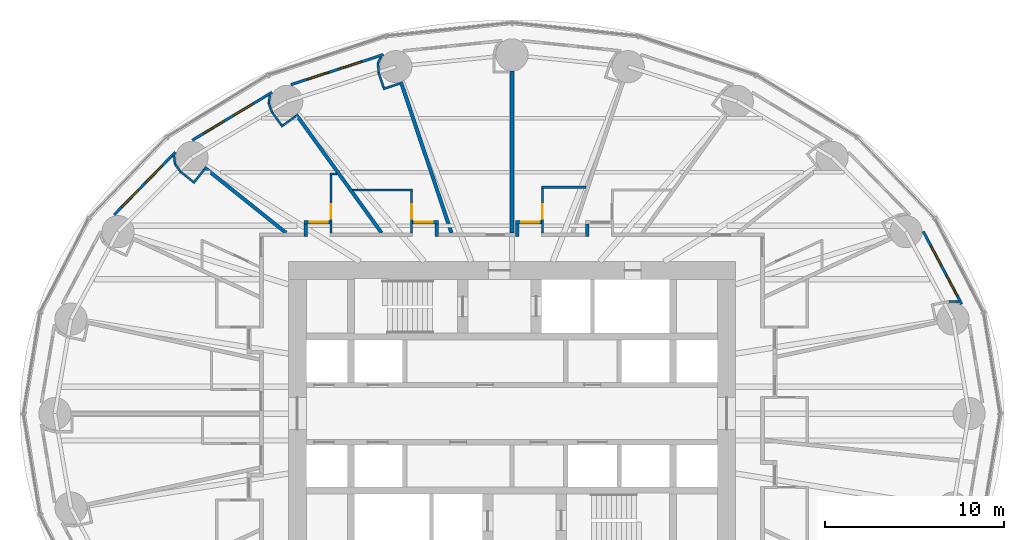
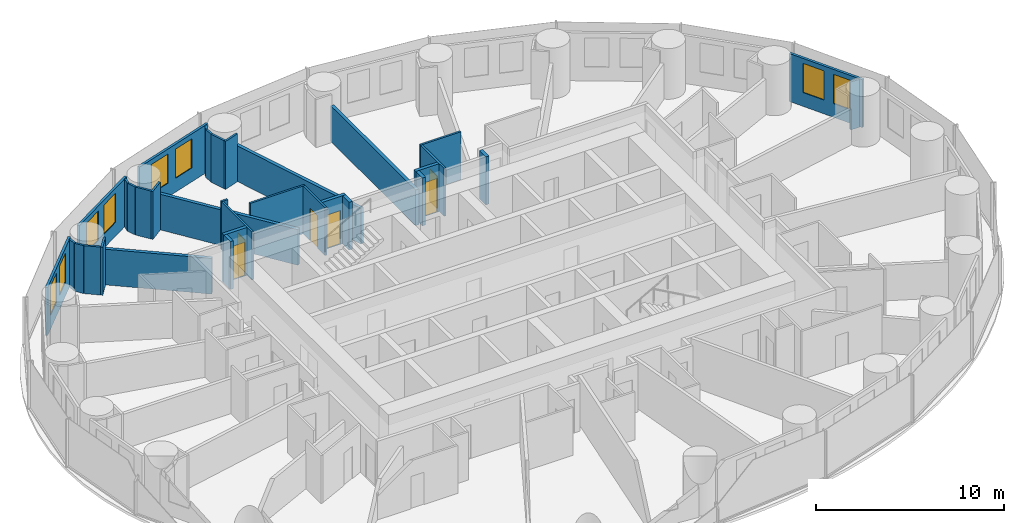
# One storey, part 11 of 14: 34 walls, 8 windows, 6 doors, 14 openings.
"""IFC4 building model written with IfcOpenShell, lengths in metres."""

from ifc_helpers import new_model, si_unit, direction, frame, frame_2d, origin, place, context, subcontext, project, spatial, rectangle, extrude, material, layer, layer_set, type_object, element, fill, save


model = new_model("IFC4")

# Units and contexts
model_context = context("Model", 3, precision=1e-05, world=origin(), true_north=direction((0.0, 1.0)))
body_context = subcontext(model_context, "Body", "Model", "MODEL_VIEW")
ifc_project = project(units=[si_unit("LENGTHUNIT", "METRE"), si_unit("AREAUNIT", "SQUARE_METRE"), si_unit("VOLUMEUNIT", "CUBIC_METRE"), si_unit("PLANEANGLEUNIT", "RADIAN"), si_unit("MASSUNIT", "GRAM", prefix="KILO")], contexts=[model_context])

# Site, building, storey
site_placement = place(None, origin())
site = spatial("IfcSite", under=ifc_project, at=site_placement, CompositionType="ELEMENT")
building_placement = place(site_placement, origin())
building = spatial("IfcBuilding", under=site, at=building_placement, Name="Hankou Lantern Tower", CompositionType="ELEMENT")
storey_placement = place(building_placement, frame((0.0, 0.0, 29.39990234375)))
storey = spatial("IfcBuildingStorey", under=building, at=storey_placement, Name="L05", CompositionType="ELEMENT", Elevation=29.39990234375)

# Wall, openings, windows
ifc_material_1 = material(Name="Aluminium spandrel panel on steel studs", Category="steel")
ifc_layer_1 = layer(ifc_material_1, 0.14990234375)
ifc_layer_set_1 = layer_set([ifc_layer_1], Name="Aluminium spandrel panel on steel studs")
wall_type_1 = type_object("IfcWallType", Name="EW1 INNER SKIN WALL 150", PredefinedType="ELEMENTEDWALL", material=ifc_layer_set_1)
wall_1_placement = place(storey_placement, frame((25.138671875, 6.11279296875, 0.0), z_axis=(0.0, 0.0, 1.0), x_axis=(-0.467303182954, 0.884097129959, 0.0)))
wall_1 = element("IfcWall", 1, at=wall_1_placement, inside=storey, type_object=wall_type_1, Name="Inner skin R02-R03 L05", PredefinedType="ELEMENTEDWALL", context=body_context, shape_type="SweptSolid", body=[
    extrude(rectangle(XDim=4.6064453125, YDim=0.14990234375, at=frame_2d((2.30322265625, 0.0))), origin(), (0.0, 0.0, 1.0), 3.1201171875),
])
opening_1_placement = place(wall_1_placement, frame((0.531494140625, 0.0, 0.89990234375)))
opening_1 = element("IfcOpeningElement", 2, at=opening_1_placement, cuts=wall_1, Name="Opening W9", PredefinedType="OPENING", context=body_context, shape_type="SweptSolid", body=[
    extrude(rectangle(XDim=1.300048828125, YDim=1.89990234375, at=frame_2d((0.64990234375, 0.949951171875))), frame((0.0, 0.0849609375, 0.0), z_axis=(0.0, -1.0, 0.0), x_axis=(1.0, 0.0, 0.0)), (0.0, 0.0, 1.0), 0.169921875),
])
opening_2_placement = place(wall_1_placement, frame((2.431640625, 0.0, 0.89990234375)))
opening_2 = element("IfcOpeningElement", 3, at=opening_2_placement, cuts=wall_1, Name="Opening W9", PredefinedType="OPENING", context=body_context, shape_type="SweptSolid", body=[
    extrude(rectangle(XDim=1.300048828125, YDim=1.89990234375, at=frame_2d((0.64990234375, 0.949951171875))), frame((0.0, 0.0849609375, 0.0), z_axis=(0.0, -1.0, 0.0), x_axis=(1.0, 0.0, 0.0)), (0.0, 0.0, 1.0), 0.169921875),
])
ifc_material_2 = material(Name="Aluminium framed double glazed window", Category="aluminium")
window_type = type_object("IfcWindowType", Name="W9 GUEST ROOM WINDOW 1300X1900", PartitioningType="DOUBLE_PANEL_VERTICAL", PredefinedType="WINDOW", material=ifc_material_2)
window_1_placement = place(opening_1_placement, origin())
window_1 = element("IfcWindow", 4, at=window_1_placement, inside=storey, type_object=window_type, Name="Window R02.1 L05", OverallHeight=1.89990234375, OverallWidth=1.300048828125, PartitioningType="SINGLE_PANEL", PredefinedType="WINDOW", context=body_context, shape_type="SweptSolid", body=[
    extrude(rectangle(XDim=1.300048828125, YDim=1.89990234375, at=frame_2d((0.64990234375, 0.949951171875))), frame((0.0, 0.030029296875, 0.0), z_axis=(0.0, -1.0, 0.0), x_axis=(1.0, 0.0, 0.0)), (0.0, 0.0, 1.0), 0.06005859375),
])
fill(opening_1, window_1)
window_2_placement = place(opening_2_placement, origin())
window_2 = element("IfcWindow", 5, at=window_2_placement, inside=storey, type_object=window_type, Name="Window R02.2 L05", OverallHeight=1.89990234375, OverallWidth=1.300048828125, PartitioningType="SINGLE_PANEL", PredefinedType="WINDOW", context=body_context, shape_type="SweptSolid", body=[
    extrude(rectangle(XDim=1.300048828125, YDim=1.89990234375, at=frame_2d((0.64990234375, 0.949951171875))), frame((0.0, 0.030029296875, 0.0), z_axis=(0.0, -1.0, 0.0), x_axis=(1.0, 0.0, 0.0)), (0.0, 0.0, 1.0), 0.06005859375),
])
fill(opening_2, window_2)

wall_2_placement = place(storey_placement, frame((-7.188232421875, 20.06494140625, 0.0), z_axis=(0.0, 0.0, 1.0), x_axis=(-0.951138486029, -0.308764603532, 0.0)))
wall_2 = element("IfcWall", 6, at=wall_2_placement, inside=storey, type_object=wall_type_1, Name="Inner skin R08-R09 L05", PredefinedType="ELEMENTEDWALL", context=body_context, shape_type="SweptSolid", body=[
    extrude(rectangle(XDim=5.444091796875, YDim=0.14990234375, at=frame_2d((2.72216796875, 0.0))), origin(), (0.0, 0.0, 1.0), 3.1201171875),
])
opening_3_placement = place(wall_2_placement, frame((1.2841796875, 0.0, 0.89990234375)))
opening_3 = element("IfcOpeningElement", 7, at=opening_3_placement, cuts=wall_2, Name="Opening W9", PredefinedType="OPENING", context=body_context, shape_type="SweptSolid", body=[
    extrude(rectangle(XDim=1.300048828125, YDim=1.89990234375, at=frame_2d((0.64990234375, 0.949951171875))), frame((0.0, 0.0849609375, 0.0), z_axis=(0.0, -1.0, 0.0), x_axis=(1.0, 0.0, 0.0)), (0.0, 0.0, 1.0), 0.169921875),
])
opening_4_placement = place(wall_2_placement, frame((3.18408203125, 0.0, 0.89990234375)))
opening_4 = element("IfcOpeningElement", 8, at=opening_4_placement, cuts=wall_2, Name="Opening W9", PredefinedType="OPENING", context=body_context, shape_type="SweptSolid", body=[
    extrude(rectangle(XDim=1.300048828125, YDim=1.89990234375, at=frame_2d((0.64990234375, 0.949951171875))), frame((0.0, 0.0849609375, 0.0), z_axis=(0.0, -1.0, 0.0), x_axis=(1.0, 0.0, 0.0)), (0.0, 0.0, 1.0), 0.169921875),
])
window_3_placement = place(opening_3_placement, origin())
window_3 = element("IfcWindow", 9, at=window_3_placement, inside=storey, type_object=window_type, Name="Window R08.1 L05", OverallHeight=1.89990234375, OverallWidth=1.300048828125, PartitioningType="SINGLE_PANEL", PredefinedType="WINDOW", context=body_context, shape_type="SweptSolid", body=[
    extrude(rectangle(XDim=1.300048828125, YDim=1.89990234375, at=frame_2d((0.64990234375, 0.949951171875))), frame((0.0, 0.030029296875, 0.0), z_axis=(0.0, -1.0, 0.0), x_axis=(1.0, 0.0, 0.0)), (0.0, 0.0, 1.0), 0.06005859375),
])
fill(opening_3, window_3)
window_4_placement = place(opening_4_placement, origin())
window_4 = element("IfcWindow", 10, at=window_4_placement, inside=storey, type_object=window_type, Name="Window R08.2 L05", OverallHeight=1.89990234375, OverallWidth=1.300048828125, PartitioningType="SINGLE_PANEL", PredefinedType="WINDOW", context=body_context, shape_type="SweptSolid", body=[
    extrude(rectangle(XDim=1.300048828125, YDim=1.89990234375, at=frame_2d((0.64990234375, 0.949951171875))), frame((0.0, 0.030029296875, 0.0), z_axis=(0.0, -1.0, 0.0), x_axis=(1.0, 0.0, 0.0)), (0.0, 0.0, 1.0), 0.06005859375),
])
fill(opening_4, window_4)

wall_3_placement = place(storey_placement, frame((-13.412109375, 17.957275390625, 0.0), z_axis=(0.0, 0.0, 1.0), x_axis=(-0.856958191554, -0.515385931054, 0.0)))
wall_3 = element("IfcWall", 11, at=wall_3_placement, inside=storey, type_object=wall_type_1, Name="Inner skin R09-R10 L05", PredefinedType="ELEMENTEDWALL", context=body_context, shape_type="SweptSolid", body=[
    extrude(rectangle(XDim=5.201171875, YDim=0.14990234375, at=frame_2d((2.6005859375, 0.0))), origin(), (0.0, 0.0, 1.0), 3.1201171875),
])
opening_5_placement = place(wall_3_placement, frame((1.22509765625, 0.0, 0.89990234375)))
opening_5 = element("IfcOpeningElement", 12, at=opening_5_placement, cuts=wall_3, Name="Opening W9", PredefinedType="OPENING", context=body_context, shape_type="SweptSolid", body=[
    extrude(rectangle(XDim=1.300048828125, YDim=1.89990234375, at=frame_2d((0.64990234375, 0.949951171875))), frame((0.0, 0.0849609375, 0.0), z_axis=(0.0, -1.0, 0.0), x_axis=(1.0, 0.0, 0.0)), (0.0, 0.0, 1.0), 0.169921875),
])
opening_6_placement = place(wall_3_placement, frame((3.125, 0.0, 0.89990234375)))
opening_6 = element("IfcOpeningElement", 13, at=opening_6_placement, cuts=wall_3, Name="Opening W9", PredefinedType="OPENING", context=body_context, shape_type="SweptSolid", body=[
    extrude(rectangle(XDim=1.300048828125, YDim=1.89990234375, at=frame_2d((0.64990234375, 0.949951171875))), frame((0.0, 0.0849609375, 0.0), z_axis=(0.0, -1.0, 0.0), x_axis=(1.0, 0.0, 0.0)), (0.0, 0.0, 1.0), 0.169921875),
])
window_5_placement = place(opening_5_placement, origin())
window_5 = element("IfcWindow", 14, at=window_5_placement, inside=storey, type_object=window_type, Name="Window R09.1 L05", OverallHeight=1.89990234375, OverallWidth=1.300048828125, PartitioningType="SINGLE_PANEL", PredefinedType="WINDOW", context=body_context, shape_type="SweptSolid", body=[
    extrude(rectangle(XDim=1.300048828125, YDim=1.89990234375, at=frame_2d((0.64990234375, 0.949951171875))), frame((0.0, 0.030029296875, 0.0), z_axis=(0.0, -1.0, 0.0), x_axis=(1.0, 0.0, 0.0)), (0.0, 0.0, 1.0), 0.06005859375),
])
fill(opening_5, window_5)
window_6_placement = place(opening_6_placement, origin())
window_6 = element("IfcWindow", 15, at=window_6_placement, inside=storey, type_object=window_type, Name="Window R09.2 L05", OverallHeight=1.89990234375, OverallWidth=1.300048828125, PartitioningType="SINGLE_PANEL", PredefinedType="WINDOW", context=body_context, shape_type="SweptSolid", body=[
    extrude(rectangle(XDim=1.300048828125, YDim=1.89990234375, at=frame_2d((0.64990234375, 0.949951171875))), frame((0.0, 0.030029296875, 0.0), z_axis=(0.0, -1.0, 0.0), x_axis=(1.0, 0.0, 0.0)), (0.0, 0.0, 1.0), 0.06005859375),
])
fill(opening_6, window_6)

wall_4_placement = place(storey_placement, frame((-18.8134765625, 14.606689453125, 0.0), z_axis=(0.0, 0.0, 1.0), x_axis=(-0.699612594083, -0.714522370679, 0.0)))
wall_4 = element("IfcWall", 16, at=wall_4_placement, inside=storey, type_object=wall_type_1, Name="Inner skin R10-R11 L05", PredefinedType="ELEMENTEDWALL", context=body_context, shape_type="SweptSolid", body=[
    extrude(rectangle(XDim=4.89599609375, YDim=0.14990234375, at=frame_2d((2.447998046875, 0.0))), origin(), (0.0, 0.0, 1.0), 3.1201171875),
])
opening_7_placement = place(wall_4_placement, frame((1.076904296875, 0.0, 0.89990234375)))
opening_7 = element("IfcOpeningElement", 17, at=opening_7_placement, cuts=wall_4, Name="Opening W9", PredefinedType="OPENING", context=body_context, shape_type="SweptSolid", body=[
    extrude(rectangle(XDim=1.300048828125, YDim=1.89990234375, at=frame_2d((0.64990234375, 0.949951171875))), frame((0.0, 0.0849609375, 0.0), z_axis=(0.0, -1.0, 0.0), x_axis=(1.0, 0.0, 0.0)), (0.0, 0.0, 1.0), 0.169921875),
])
opening_8_placement = place(wall_4_placement, frame((2.976806640625, 0.0, 0.89990234375)))
opening_8 = element("IfcOpeningElement", 18, at=opening_8_placement, cuts=wall_4, Name="Opening W9", PredefinedType="OPENING", context=body_context, shape_type="SweptSolid", body=[
    extrude(rectangle(XDim=1.300048828125, YDim=1.89990234375, at=frame_2d((0.64990234375, 0.949951171875))), frame((0.0, 0.0849609375, 0.0), z_axis=(0.0, -1.0, 0.0), x_axis=(1.0, 0.0, 0.0)), (0.0, 0.0, 1.0), 0.169921875),
])
window_7_placement = place(opening_7_placement, origin())
window_7 = element("IfcWindow", 19, at=window_7_placement, inside=storey, type_object=window_type, Name="Window R10.1 L05", OverallHeight=1.89990234375, OverallWidth=1.300048828125, PartitioningType="SINGLE_PANEL", PredefinedType="WINDOW", context=body_context, shape_type="SweptSolid", body=[
    extrude(rectangle(XDim=1.300048828125, YDim=1.89990234375, at=frame_2d((0.64990234375, 0.949951171875))), frame((0.0, 0.030029296875, 0.0), z_axis=(0.0, -1.0, 0.0), x_axis=(1.0, 0.0, 0.0)), (0.0, 0.0, 1.0), 0.06005859375),
])
fill(opening_7, window_7)
window_8_placement = place(opening_8_placement, origin())
window_8 = element("IfcWindow", 20, at=window_8_placement, inside=storey, type_object=window_type, Name="Window R10.2 L05", OverallHeight=1.89990234375, OverallWidth=1.300048828125, PartitioningType="SINGLE_PANEL", PredefinedType="WINDOW", context=body_context, shape_type="SweptSolid", body=[
    extrude(rectangle(XDim=1.300048828125, YDim=1.89990234375, at=frame_2d((0.64990234375, 0.949951171875))), frame((0.0, 0.030029296875, 0.0), z_axis=(0.0, -1.0, 0.0), x_axis=(1.0, 0.0, 0.0)), (0.0, 0.0, 1.0), 0.06005859375),
])
fill(opening_8, window_8)

# Walls
ifc_material_3 = material(Name="Masonry lightweight concrete block", Category="masonry")
ifc_layer_2 = layer(ifc_material_3, 0.199951171875)
ifc_layer_set_2 = layer_set([ifc_layer_2], Name="Masonry lightweight concrete block")
wall_type_2 = type_object("IfcWallType", Name="IW1 GUEST ROOM PARTY WALL 200", PredefinedType="PARTITIONING", material=ifc_layer_set_2)
wall_5_placement = place(storey_placement, frame((-7.2890625, 10.10009765625, 0.0), z_axis=(0.0, 0.0, 1.0), x_axis=(-0.585216319319, 0.810877216108, 0.0)))
element("IfcWall", 21, at=wall_5_placement, inside=storey, type_object=wall_type_2, Name="Party wall R09", PredefinedType="PARTITIONING", context=body_context, shape_type="SweptSolid", body=[
    extrude(rectangle(XDim=8.15966796875, YDim=0.199951171875, at=frame_2d((4.079833984375, 0.0))), origin(), (0.0, 0.0, 1.0), 2.320068359375),
])
wall_6_placement = place(storey_placement, frame((-12.625, 10.10009765625, 0.0), z_axis=(0.0, 0.0, 1.0), x_axis=(-0.780872884676, 0.624689953479, 0.0)))
element("IfcWall", 22, at=wall_6_placement, inside=storey, type_object=wall_type_2, Name="Party wall R10", PredefinedType="PARTITIONING", context=body_context, shape_type="SweptSolid", body=[
    extrude(rectangle(XDim=5.8447265625, YDim=0.199951171875, at=frame_2d((2.92236328125, 0.0))), origin(), (0.0, 0.0, 1.0), 2.320068359375),
])
ifc_material_4 = material(Name="Masonry lightweight concrete block", Category="masonry")
ifc_layer_3 = layer(ifc_material_4, 0.199951171875)
ifc_layer_set_3 = layer_set([ifc_layer_3], Name="Masonry lightweight concrete block")
wall_type_3 = type_object("IfcWallType", Name="IW2 CORRIDOR WALL 200", PredefinedType="PARTITIONING", material=ifc_layer_set_3)
wall_7_placement = place(storey_placement, frame((4.208984375, 9.89990234375, 0.0), z_axis=(0.0, 0.0, 1.0), x_axis=(0.0, 1.0, 0.0)))
element("IfcWall", 23, at=wall_7_placement, inside=storey, type_object=wall_type_3, Name="Corridor recess wall 0507 side", PredefinedType="PARTITIONING", context=body_context, shape_type="SweptSolid", body=[
    extrude(rectangle(XDim=0.7001953125, YDim=0.199951171875, at=frame_2d((0.35009765625, 0.0))), origin(), (0.0, 0.0, 1.0), 3.1201171875),
])

# Wall, opening, door
wall_8_placement = place(storey_placement, frame((0.202880859375, 10.699951171875, 0.0), z_axis=(0.0, 0.0, 1.0), x_axis=(1.0, 0.0, 0.0)))
wall_8 = element("IfcWall", 24, at=wall_8_placement, inside=storey, type_object=wall_type_3, Name="Corridor recess wall 0508 back", PredefinedType="PARTITIONING", context=body_context, shape_type="SweptSolid", body=[
    extrude(rectangle(XDim=1.43994140625, YDim=0.199951171875, at=frame_2d((0.719970703125, 0.0))), origin(), (0.0, 0.0, 1.0), 3.1201171875),
])
opening_9_placement = place(wall_8_placement, frame((0.320068359375, 0.0, 0.0)))
opening_9 = element("IfcOpeningElement", 25, at=opening_9_placement, cuts=wall_8, Name="Opening D1", PredefinedType="OPENING", context=body_context, shape_type="SweptSolid", body=[
    extrude(rectangle(XDim=1.0, YDim=2.199951171875, at=frame_2d((0.5, 1.10009765625))), frame((0.0, 0.10986328125, 0.0), z_axis=(0.0, -1.0, 0.0), x_axis=(1.0, 0.0, 0.0)), (0.0, 0.0, 1.0), 0.219970703125),
])
ifc_material_5 = material(Name="Steel door leaf", Category="steel")
door_type_1 = type_object("IfcDoorType", Name="D1 GUEST ROOM DOOR 1000X2200", OperationType="SINGLE_SWING_LEFT", PredefinedType="DOOR", material=ifc_material_5)
door_1_placement = place(opening_9_placement, origin())
door_1 = element("IfcDoor", 26, at=door_1_placement, inside=storey, type_object=door_type_1, Name="Guest room door 0508", OperationType="SINGLE_SWING_RIGHT", OverallHeight=2.199951171875, OverallWidth=1.0, PredefinedType="DOOR", context=body_context, shape_type="SweptSolid", body=[
    extrude(rectangle(XDim=1.0, YDim=2.199951171875, at=frame_2d((0.5, 1.10009765625))), frame((0.0, 0.02490234375, 0.0), z_axis=(0.0, -1.0, 0.0), x_axis=(1.0, 0.0, 0.0)), (0.0, 0.0, 1.0), 0.050048828125),
])
fill(opening_9, door_1)

# Wall
wall_9_placement = place(storey_placement, frame((0.302978515625, 9.89990234375, 0.0), z_axis=(0.0, 0.0, 1.0), x_axis=(0.0, 1.0, 0.0)))
element("IfcWall", 27, at=wall_9_placement, inside=storey, type_object=wall_type_3, Name="Corridor recess wall 0508 side", PredefinedType="PARTITIONING", context=body_context, shape_type="SweptSolid", body=[
    extrude(rectangle(XDim=0.7001953125, YDim=0.199951171875, at=frame_2d((0.35009765625, 0.0))), origin(), (0.0, 0.0, 1.0), 3.1201171875),
])

# Wall, opening, door
wall_10_placement = place(storey_placement, frame((-5.549072265625, 10.699951171875, 0.0), z_axis=(0.0, 0.0, 1.0), x_axis=(1.0, 0.0, 0.0)))
wall_10 = element("IfcWall", 28, at=wall_10_placement, inside=storey, type_object=wall_type_3, Name="Corridor recess wall 0510 back", PredefinedType="PARTITIONING", context=body_context, shape_type="SweptSolid", body=[
    extrude(rectangle(XDim=1.43994140625, YDim=0.199951171875, at=frame_2d((0.719970703125, 0.0))), origin(), (0.0, 0.0, 1.0), 3.1201171875),
])
opening_10_placement = place(wall_10_placement, frame((0.1201171875, 0.0, 0.0)))
opening_10 = element("IfcOpeningElement", 29, at=opening_10_placement, cuts=wall_10, Name="Opening D1", PredefinedType="OPENING", context=body_context, shape_type="SweptSolid", body=[
    extrude(rectangle(XDim=1.0, YDim=2.199951171875, at=frame_2d((0.5, 1.10009765625))), frame((0.0, 0.10986328125, 0.0), z_axis=(0.0, -1.0, 0.0), x_axis=(1.0, 0.0, 0.0)), (0.0, 0.0, 1.0), 0.219970703125),
])
door_2_placement = place(opening_10_placement, origin())
door_2 = element("IfcDoor", 30, at=door_2_placement, inside=storey, type_object=door_type_1, Name="Guest room door 0510", OperationType="SINGLE_SWING_LEFT", OverallHeight=2.199951171875, OverallWidth=1.0, PredefinedType="DOOR", context=body_context, shape_type="SweptSolid", body=[
    extrude(rectangle(XDim=1.0, YDim=2.199951171875, at=frame_2d((0.5, 1.10009765625))), frame((0.0, 0.02490234375, 0.0), z_axis=(0.0, -1.0, 0.0), x_axis=(1.0, 0.0, 0.0)), (0.0, 0.0, 1.0), 0.050048828125),
])
fill(opening_10, door_2)

# Wall
wall_11_placement = place(storey_placement, frame((-4.208984375, 9.89990234375, 0.0), z_axis=(0.0, 0.0, 1.0), x_axis=(0.0, 1.0, 0.0)))
element("IfcWall", 31, at=wall_11_placement, inside=storey, type_object=wall_type_3, Name="Corridor recess wall 0510 side", PredefinedType="PARTITIONING", context=body_context, shape_type="SweptSolid", body=[
    extrude(rectangle(XDim=0.7001953125, YDim=0.199951171875, at=frame_2d((0.35009765625, 0.0))), origin(), (0.0, 0.0, 1.0), 3.1201171875),
])

# Wall, opening, door
wall_12_placement = place(storey_placement, frame((-11.619140625, 10.699951171875, 0.0), z_axis=(0.0, 0.0, 1.0), x_axis=(1.0, 0.0, 0.0)))
wall_12 = element("IfcWall", 32, at=wall_12_placement, inside=storey, type_object=wall_type_3, Name="Corridor recess wall 0511 back", PredefinedType="PARTITIONING", context=body_context, shape_type="SweptSolid", body=[
    extrude(rectangle(XDim=1.440185546875, YDim=0.199951171875, at=frame_2d((0.72021484375, 0.0))), origin(), (0.0, 0.0, 1.0), 3.1201171875),
])
opening_11_placement = place(wall_12_placement, frame((0.320068359375, 0.0, 0.0)))
opening_11 = element("IfcOpeningElement", 33, at=opening_11_placement, cuts=wall_12, Name="Opening D1", PredefinedType="OPENING", context=body_context, shape_type="SweptSolid", body=[
    extrude(rectangle(XDim=1.0, YDim=2.199951171875, at=frame_2d((0.5, 1.10009765625))), frame((0.0, 0.10986328125, 0.0), z_axis=(0.0, -1.0, 0.0), x_axis=(1.0, 0.0, 0.0)), (0.0, 0.0, 1.0), 0.219970703125),
])
door_3_placement = place(opening_11_placement, origin())
door_3 = element("IfcDoor", 34, at=door_3_placement, inside=storey, type_object=door_type_1, Name="Guest room door 0511", OperationType="SINGLE_SWING_RIGHT", OverallHeight=2.199951171875, OverallWidth=1.0, PredefinedType="DOOR", context=body_context, shape_type="SweptSolid", body=[
    extrude(rectangle(XDim=1.0, YDim=2.199951171875, at=frame_2d((0.5, 1.10009765625))), frame((0.0, 0.02490234375, 0.0), z_axis=(0.0, -1.0, 0.0), x_axis=(1.0, 0.0, 0.0)), (0.0, 0.0, 1.0), 0.050048828125),
])
fill(opening_11, door_3)

# Walls
wall_13_placement = place(storey_placement, frame((-11.51904296875, 9.89990234375, 0.0), z_axis=(0.0, 0.0, 1.0), x_axis=(0.0, 1.0, 0.0)))
element("IfcWall", 35, at=wall_13_placement, inside=storey, type_object=wall_type_3, Name="Corridor recess wall 0511 side", PredefinedType="PARTITIONING", context=body_context, shape_type="SweptSolid", body=[
    extrude(rectangle(XDim=0.7001953125, YDim=0.199951171875, at=frame_2d((0.35009765625, 0.0))), origin(), (0.0, 0.0, 1.0), 3.1201171875),
])
ifc_material_6 = material(Name="Masonry lightweight concrete block", Category="masonry")
ifc_layer_4 = layer(ifc_material_6, 0.1201171875)
ifc_layer_set_4 = layer_set([ifc_layer_4], Name="Masonry lightweight concrete block")
wall_type_4 = type_object("IfcWallType", Name="IW3 BATHROOM WALL 120", PredefinedType="PARTITIONING", material=ifc_layer_set_4)
wall_14_placement = place(storey_placement, frame((4.136962890625, 12.64990234375, 0.0), z_axis=(0.0, 0.0, 1.0), x_axis=(-1.0, 0.0, 0.0)))
element("IfcWall", 36, at=wall_14_placement, inside=storey, type_object=wall_type_4, Name="Box wall 0508 1", PredefinedType="PARTITIONING", context=body_context, shape_type="SweptSolid", body=[
    extrude(rectangle(XDim=2.494140625, YDim=0.1201171875, at=frame_2d((1.2470703125, 0.0))), origin(), (0.0, 0.0, 1.0), 3.1201171875),
])

# Wall, opening, door
wall_15_placement = place(storey_placement, frame((1.702880859375, 10.10009765625, 0.0), z_axis=(0.0, 0.0, 1.0), x_axis=(0.0, 1.0, 0.0)))
wall_15 = element("IfcWall", 37, at=wall_15_placement, inside=storey, type_object=wall_type_4, Name="Box wall 0508 1", PredefinedType="PARTITIONING", context=body_context, shape_type="SweptSolid", body=[
    extrude(rectangle(XDim=2.489990234375, YDim=0.1201171875, at=frame_2d((1.2451171875, 0.0))), origin(), (0.0, 0.0, 1.0), 3.1201171875),
])
opening_12_placement = place(wall_15_placement, frame((0.800048828125, 0.0, 0.0)))
opening_12 = element("IfcOpeningElement", 38, at=opening_12_placement, cuts=wall_15, Name="Opening D3", PredefinedType="OPENING", context=body_context, shape_type="SweptSolid", body=[
    extrude(rectangle(XDim=0.800048828125, YDim=2.10009765625, at=frame_2d((0.39990234375, 1.050048828125))), frame((0.0, 0.070068359375, 0.0), z_axis=(0.0, -1.0, 0.0), x_axis=(1.0, 0.0, 0.0)), (0.0, 0.0, 1.0), 0.14013671875),
])
ifc_material_7 = material(Name="Timber door leaf", Category="wood")
door_type_2 = type_object("IfcDoorType", Name="D3 BATHROOM DOOR 800X2100", OperationType="SINGLE_SWING_LEFT", PredefinedType="DOOR", material=ifc_material_7)
door_4_placement = place(opening_12_placement, origin())
door_4 = element("IfcDoor", 39, at=door_4_placement, inside=storey, type_object=door_type_2, Name="En-suite bathroom 0508 door", OperationType="SINGLE_SWING_LEFT", OverallHeight=2.10009765625, OverallWidth=0.800048828125, PredefinedType="DOOR", context=body_context, shape_type="SweptSolid", body=[
    extrude(rectangle(XDim=0.800048828125, YDim=2.10009765625, at=frame_2d((0.39990234375, 1.050048828125))), frame((0.0, 0.02490234375, 0.0), z_axis=(0.0, -1.0, 0.0), x_axis=(1.0, 0.0, 0.0)), (0.0, 0.0, 1.0), 0.050048828125),
])
fill(opening_12, door_4)

# Wall
wall_16_placement = place(storey_placement, frame((-8.921142578125, 12.5, 0.0), z_axis=(0.0, 0.0, 1.0), x_axis=(1.0, 0.0, 0.0)))
element("IfcWall", 40, at=wall_16_placement, inside=storey, type_object=wall_type_4, Name="Box wall 0510 1", PredefinedType="PARTITIONING", context=body_context, shape_type="SweptSolid", body=[
    extrude(rectangle(XDim=3.3720703125, YDim=0.1201171875, at=frame_2d((1.68603515625, 0.0))), origin(), (0.0, 0.0, 1.0), 3.1201171875),
])

# Wall, opening, door
wall_17_placement = place(storey_placement, frame((-5.609130859375, 10.10009765625, 0.0), z_axis=(0.0, 0.0, 1.0), x_axis=(0.0, 1.0, 0.0)))
wall_17 = element("IfcWall", 41, at=wall_17_placement, inside=storey, type_object=wall_type_4, Name="Box wall 0510 1", PredefinedType="PARTITIONING", context=body_context, shape_type="SweptSolid", body=[
    extrude(rectangle(XDim=2.33984375, YDim=0.1201171875, at=frame_2d((1.169921875, 0.0))), origin(), (0.0, 0.0, 1.0), 3.1201171875),
])
opening_13_placement = place(wall_17_placement, frame((0.800048828125, 0.0, 0.0)))
opening_13 = element("IfcOpeningElement", 42, at=opening_13_placement, cuts=wall_17, Name="Opening D3", PredefinedType="OPENING", context=body_context, shape_type="SweptSolid", body=[
    extrude(rectangle(XDim=0.800048828125, YDim=2.10009765625, at=frame_2d((0.39990234375, 1.050048828125))), frame((0.0, 0.070068359375, 0.0), z_axis=(0.0, -1.0, 0.0), x_axis=(1.0, 0.0, 0.0)), (0.0, 0.0, 1.0), 0.14013671875),
])
door_5_placement = place(opening_13_placement, origin())
door_5 = element("IfcDoor", 43, at=door_5_placement, inside=storey, type_object=door_type_2, Name="En-suite bathroom 0510 door", OperationType="SINGLE_SWING_RIGHT", OverallHeight=2.10009765625, OverallWidth=0.800048828125, PredefinedType="DOOR", context=body_context, shape_type="SweptSolid", body=[
    extrude(rectangle(XDim=0.800048828125, YDim=2.10009765625, at=frame_2d((0.39990234375, 1.050048828125))), frame((0.0, 0.02490234375, 0.0), z_axis=(0.0, -1.0, 0.0), x_axis=(1.0, 0.0, 0.0)), (0.0, 0.0, 1.0), 0.050048828125),
])
fill(opening_13, door_5)

# Wall
wall_18_placement = place(storey_placement, frame((-9.7705078125, 13.39990234375, 0.0), z_axis=(0.0, 0.0, 1.0), x_axis=(-1.0, 0.0, 0.0)))
element("IfcWall", 44, at=wall_18_placement, inside=storey, type_object=wall_type_4, Name="Box wall 0511 1", PredefinedType="PARTITIONING", context=body_context, shape_type="SweptSolid", body=[
    extrude(rectangle(XDim=0.408447265625, YDim=0.1201171875, at=frame_2d((0.2041015625, 0.0))), origin(), (0.0, 0.0, 1.0), 3.1201171875),
])

# Wall, opening, door
wall_19_placement = place(storey_placement, frame((-10.119140625, 10.10009765625, 0.0), z_axis=(0.0, 0.0, 1.0), x_axis=(0.0, 1.0, 0.0)))
wall_19 = element("IfcWall", 45, at=wall_19_placement, inside=storey, type_object=wall_type_4, Name="Box wall 0511 1", PredefinedType="PARTITIONING", context=body_context, shape_type="SweptSolid", body=[
    extrude(rectangle(XDim=3.239990234375, YDim=0.1201171875, at=frame_2d((1.6201171875, 0.0))), origin(), (0.0, 0.0, 1.0), 3.1201171875),
])
opening_14_placement = place(wall_19_placement, frame((0.800048828125, 0.0, 0.0)))
opening_14 = element("IfcOpeningElement", 46, at=opening_14_placement, cuts=wall_19, Name="Opening D3", PredefinedType="OPENING", context=body_context, shape_type="SweptSolid", body=[
    extrude(rectangle(XDim=0.800048828125, YDim=2.10009765625, at=frame_2d((0.39990234375, 1.050048828125))), frame((0.0, 0.070068359375, 0.0), z_axis=(0.0, -1.0, 0.0), x_axis=(1.0, 0.0, 0.0)), (0.0, 0.0, 1.0), 0.14013671875),
])
door_6_placement = place(opening_14_placement, origin())
door_6 = element("IfcDoor", 47, at=door_6_placement, inside=storey, type_object=door_type_2, Name="En-suite bathroom 0511 door", OperationType="SINGLE_SWING_LEFT", OverallHeight=2.10009765625, OverallWidth=0.800048828125, PredefinedType="DOOR", context=body_context, shape_type="SweptSolid", body=[
    extrude(rectangle(XDim=0.800048828125, YDim=2.10009765625, at=frame_2d((0.39990234375, 1.050048828125))), frame((0.0, 0.02490234375, 0.0), z_axis=(0.0, -1.0, 0.0), x_axis=(1.0, 0.0, 0.0)), (0.0, 0.0, 1.0), 0.050048828125),
])
fill(opening_14, door_6)

# Walls
ifc_material_8 = material(Name="Masonry lightweight concrete block", Category="masonry")
ifc_layer_5 = layer(ifc_material_8, 0.1201171875)
ifc_layer_set_5 = layer_set([ifc_layer_5], Name="Masonry lightweight concrete block")
wall_type_5 = type_object("IfcWallType", Name="IW4 PARTITION 120", PredefinedType="PARTITIONING", material=ifc_layer_set_5)
wall_20_placement = place(storey_placement, frame((24.434326171875, 6.275390625, 0.0), z_axis=(0.0, 0.0, 1.0), x_axis=(0.998714959873, -0.050679669751, 0.0)))
element("IfcWall", 48, at=wall_20_placement, inside=storey, type_object=wall_type_5, Name="Column casing R02", PredefinedType="PARTITIONING", context=body_context, shape_type="SweptSolid", body=[
    extrude(rectangle(XDim=0.525146484375, YDim=0.1201171875, at=frame_2d((0.2626953125, 0.0))), origin(), (0.0, 0.0, 1.0), 3.1201171875),
])
wall_21_placement = place(storey_placement, frame((-6.284912109375, 18.44921875, 0.0), z_axis=(0.0, 0.0, 1.0), x_axis=(-0.948281677008, -0.317430088446, 0.0)))
element("IfcWall", 49, at=wall_21_placement, inside=storey, type_object=wall_type_5, Name="Column casing R08 return", PredefinedType="PARTITIONING", context=body_context, shape_type="SweptSolid", body=[
    extrude(rectangle(XDim=0.974365234375, YDim=0.1201171875, at=frame_2d((0.4873046875, 0.0))), origin(), (0.0, 0.0, 1.0), 3.1201171875),
])
wall_22_placement = place(storey_placement, frame((-7.171142578125, 18.2158203125, 0.0), z_axis=(0.0, 0.0, 1.0), x_axis=(-0.317692409458, 0.94819382669, 0.0)))
element("IfcWall", 50, at=wall_22_placement, inside=storey, type_object=wall_type_5, Name="Column casing R08", PredefinedType="PARTITIONING", context=body_context, shape_type="SweptSolid", body=[
    extrude(rectangle(XDim=0.89990234375, YDim=0.1201171875, at=frame_2d((0.449951171875, 0.0))), origin(), (0.0, 0.0, 1.0), 3.1201171875),
])
wall_23_placement = place(storey_placement, frame((-7.45703125, 19.069091796875, 0.0), z_axis=(0.0, 0.0, 1.0), x_axis=(-0.061365267648, 0.99811537606, 0.0)))
element("IfcWall", 51, at=wall_23_placement, inside=storey, type_object=wall_type_5, Name="Column casing R08", PredefinedType="PARTITIONING", context=body_context, shape_type="SweptSolid", body=[
    extrude(rectangle(XDim=0.525146484375, YDim=0.1201171875, at=frame_2d((0.2626953125, 0.0))), origin(), (0.0, 0.0, 1.0), 3.1201171875),
])
wall_24_placement = place(storey_placement, frame((-7.4892578125, 19.59326171875, 0.0), z_axis=(0.0, 0.0, 1.0), x_axis=(0.446218959337, 0.89492381817, 0.0)))
element("IfcWall", 52, at=wall_24_placement, inside=storey, type_object=wall_type_5, Name="Column casing R08", PredefinedType="PARTITIONING", context=body_context, shape_type="SweptSolid", body=[
    extrude(rectangle(XDim=0.392822265625, YDim=0.1201171875, at=frame_2d((0.1962890625, 0.0))), origin(), (0.0, 0.0, 1.0), 3.1201171875),
])
wall_25_placement = place(storey_placement, frame((-12.110107421875, 16.609375, 0.0), z_axis=(0.0, 0.0, 1.0), x_axis=(-0.810897160646, -0.585188683123, 0.0)))
element("IfcWall", 53, at=wall_25_placement, inside=storey, type_object=wall_type_5, Name="Column casing R09 return", PredefinedType="PARTITIONING", context=body_context, shape_type="SweptSolid", body=[
    extrude(rectangle(XDim=0.974609375, YDim=0.1201171875, at=frame_2d((0.4873046875, 0.0))), origin(), (0.0, 0.0, 1.0), 3.1201171875),
])
wall_26_placement = place(storey_placement, frame((-12.886962890625, 16.122802734375, 0.0), z_axis=(0.0, 0.0, 1.0), x_axis=(-0.585054732094, 0.810993810367, 0.0)))
element("IfcWall", 54, at=wall_26_placement, inside=storey, type_object=wall_type_5, Name="Column casing R09", PredefinedType="PARTITIONING", context=body_context, shape_type="SweptSolid", body=[
    extrude(rectangle(XDim=0.900146484375, YDim=0.1201171875, at=frame_2d((0.4501953125, 0.0))), origin(), (0.0, 0.0, 1.0), 3.1201171875),
])
wall_27_placement = place(storey_placement, frame((-13.41357421875, 16.852783203125, 0.0), z_axis=(0.0, 0.0, 1.0), x_axis=(-0.355705277023, 0.934598178844, 0.0)))
element("IfcWall", 55, at=wall_27_placement, inside=storey, type_object=wall_type_5, Name="Column casing R09", PredefinedType="PARTITIONING", context=body_context, shape_type="SweptSolid", body=[
    extrude(rectangle(XDim=0.525146484375, YDim=0.1201171875, at=frame_2d((0.2626953125, 0.0))), origin(), (0.0, 0.0, 1.0), 3.1201171875),
])
wall_28_placement = place(storey_placement, frame((-13.600341796875, 17.343505859375, 0.0), z_axis=(0.0, 0.0, 1.0), x_axis=(0.15994604532, 0.987125758243, 0.0)))
element("IfcWall", 56, at=wall_28_placement, inside=storey, type_object=wall_type_5, Name="Column casing R09", PredefinedType="PARTITIONING", context=body_context, shape_type="SweptSolid", body=[
    extrude(rectangle(XDim=0.46240234375, YDim=0.1201171875, at=frame_2d((0.231201171875, 0.0))), origin(), (0.0, 0.0, 1.0), 3.1201171875),
])
wall_29_placement = place(storey_placement, frame((-17.20458984375, 13.635498046875, 0.0), z_axis=(0.0, 0.0, 1.0), x_axis=(-0.624756144097, -0.780819928289, 0.0)))
element("IfcWall", 57, at=wall_29_placement, inside=storey, type_object=wall_type_5, Name="Column casing R10 return", PredefinedType="PARTITIONING", context=body_context, shape_type="SweptSolid", body=[
    extrude(rectangle(XDim=0.974609375, YDim=0.1201171875, at=frame_2d((0.4873046875, 0.0))), origin(), (0.0, 0.0, 1.0), 3.1201171875),
])
wall_30_placement = place(storey_placement, frame((-17.82275390625, 12.958984375, 0.0), z_axis=(0.0, 0.0, 1.0), x_axis=(-0.780895271023, 0.624661969144, 0.0)))
element("IfcWall", 58, at=wall_30_placement, inside=storey, type_object=wall_type_5, Name="Column casing R10", PredefinedType="PARTITIONING", context=body_context, shape_type="SweptSolid", body=[
    extrude(rectangle(XDim=0.900146484375, YDim=0.1201171875, at=frame_2d((0.4501953125, 0.0))), origin(), (0.0, 0.0, 1.0), 3.1201171875),
])
wall_31_placement = place(storey_placement, frame((-18.525634765625, 13.521240234375, 0.0), z_axis=(0.0, 0.0, 1.0), x_axis=(-0.592532503205, 0.805546542818, 0.0)))
element("IfcWall", 59, at=wall_31_placement, inside=storey, type_object=wall_type_5, Name="Column casing R10", PredefinedType="PARTITIONING", context=body_context, shape_type="SweptSolid", body=[
    extrude(rectangle(XDim=0.52490234375, YDim=0.1201171875, at=frame_2d((0.262451171875, 0.0))), origin(), (0.0, 0.0, 1.0), 3.1201171875),
])
wall_32_placement = place(storey_placement, frame((-18.836669921875, 13.944091796875, 0.0), z_axis=(0.0, 0.0, 1.0), x_axis=(-0.110543348478, 0.993871303594, 0.0)))
element("IfcWall", 60, at=wall_32_placement, inside=storey, type_object=wall_type_5, Name="Column casing R10", PredefinedType="PARTITIONING", context=body_context, shape_type="SweptSolid", body=[
    extrude(rectangle(XDim=0.479248046875, YDim=0.1201171875, at=frame_2d((0.23974609375, 0.0))), origin(), (0.0, 0.0, 1.0), 3.1201171875),
])
ifc_material_9 = material(Name="Masonry lightweight concrete block", Category="masonry")
ifc_layer_6 = layer(ifc_material_9, 0.199951171875)
ifc_layer_set_6 = layer_set([ifc_layer_6], Name="Masonry lightweight concrete block")
wall_type_6 = type_object("IfcWallType", Name="IW8 PARTITION 200", PredefinedType="PARTITIONING", material=ifc_layer_set_6)
wall_33_placement = place(storey_placement, frame((0.0, 10.10009765625, 0.0), z_axis=(0.0, 0.0, 1.0), x_axis=(0.0, 1.0, 0.0)))
element("IfcWall", 61, at=wall_33_placement, inside=storey, type_object=wall_type_6, Name="Partition R07", PredefinedType="PARTITIONING", context=body_context, shape_type="SweptSolid", body=[
    extrude(rectangle(XDim=9.0498046875, YDim=0.199951171875, at=frame_2d((4.52490234375, 0.0))), origin(), (0.0, 0.0, 1.0), 2.320068359375),
])
wall_34_placement = place(storey_placement, frame((-3.3828125, 10.10009765625, 0.0), z_axis=(0.0, 0.0, 1.0), x_axis=(-0.317593727596, 0.948226884344, 0.0)))
element("IfcWall", 62, at=wall_34_placement, inside=storey, type_object=wall_type_6, Name="Partition R08", PredefinedType="PARTITIONING", context=body_context, shape_type="SweptSolid", body=[
    extrude(rectangle(XDim=8.898681640625, YDim=0.199951171875, at=frame_2d((4.44921875, 0.0))), origin(), (0.0, 0.0, 1.0), 2.320068359375),
])

save(model, "model.ifc")
